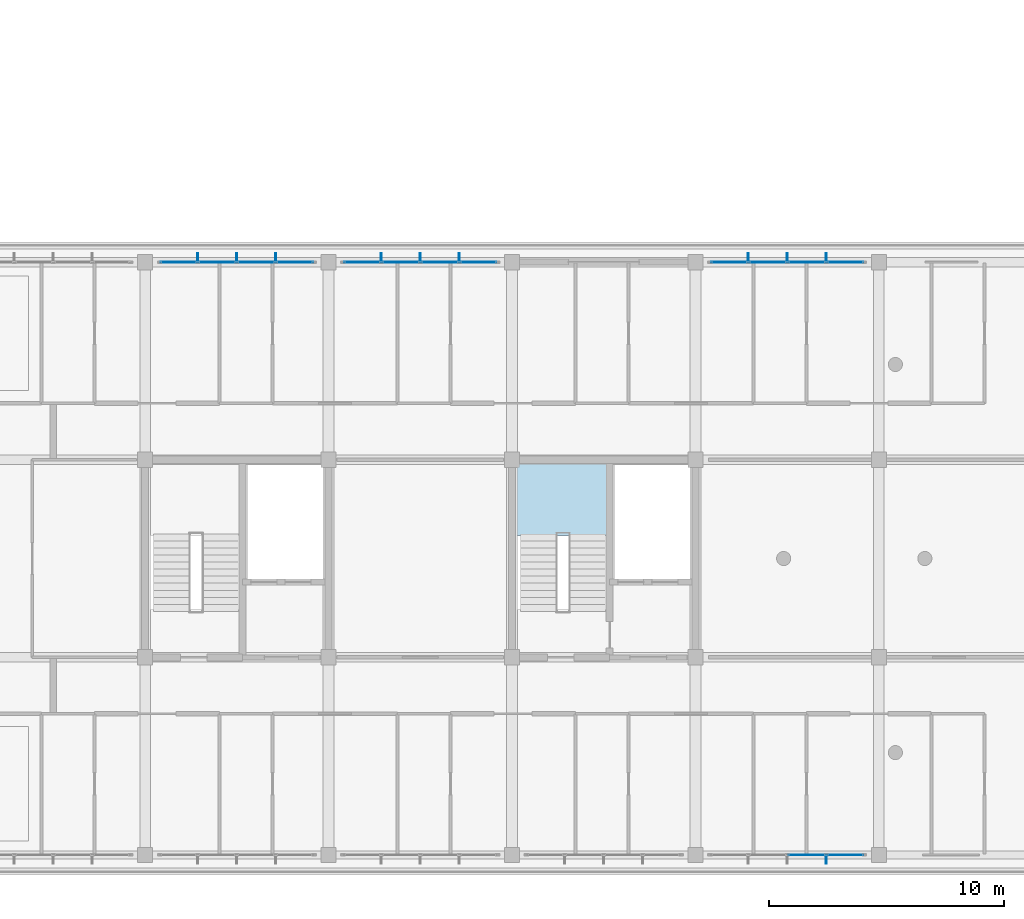
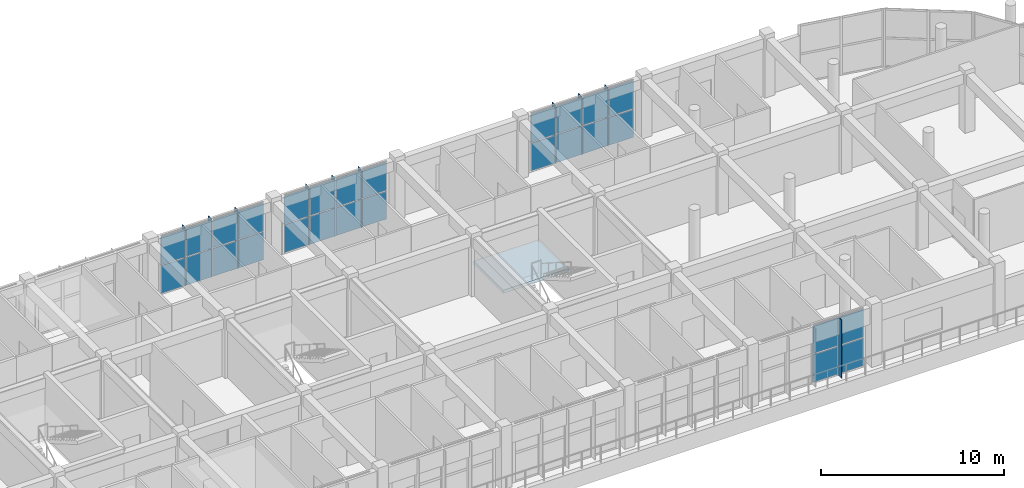
# One storey, part 47 of 63: 38 plates, 1 slab, 5 elements without a shape of their own.
"""IFC4 building model written with IfcOpenShell, lengths in metres."""

import ifcopenshell
import ifcopenshell.guid

model = None  # the IFC model being written
_history = None  # IfcOwnerHistory: only IFC2X3 demands one
_inside = {}  # id of a spatial element -> (the spatial element, [elements in it])
_under = {}  # id of a project, library or spatial element -> (it, [spatial elements below it])
_declared = {}  # id of a project -> (the project, [libraries it declares])
_typed = {}  # id of a type object -> (the type object, [elements of that type])
_made_of = {}  # id of a material, layer set ... -> (it, [elements and type objects made of it])


def new_model(schema):
    """Start an empty IFC model of exactly this schema.

    Asked for "IFC4X3", IfcOpenShell would pick the latest addendum, in which some entities
    have other attributes; the version numbers below select the first issue.
    IFC2X3 requires an IfcOwnerHistory on every rooted entity: one is made here for all.
    """
    global model, _history
    if schema == "IFC4X3":
        model = ifcopenshell.file(schema_version=(4, 3, 0, 0))
    else:
        model = ifcopenshell.file(schema=schema)
    _inside.clear()
    _under.clear()
    _declared.clear()
    _typed.clear()
    _made_of.clear()
    _history = None
    if model.schema == "IFC2X3":
        org = make("IfcOrganization", Name="unknown")
        user = make(
            "IfcPersonAndOrganization",
            ThePerson=make("IfcPerson", FamilyName="unknown"),
            TheOrganization=org,
        )
        app = make(
            "IfcApplication",
            ApplicationDeveloper=org,
            Version="unknown",
            ApplicationFullName="unknown",
            ApplicationIdentifier="unknown",
        )
        _history = make(
            "IfcOwnerHistory",
            OwningUser=user,
            OwningApplication=app,
            ChangeAction="ADDED",
            CreationDate=0,
        )
    return model


def make(cls, **values):
    """One entity of the class cls with the attributes given. An attribute that is None is left unset."""
    return model.create_entity(
        cls, **{name: value for name, value in values.items() if value is not None}
    )


def rooted(cls, **values):
    """An entity with a GlobalId (a new one), such as an element, a storey or a relation."""
    return make(cls, GlobalId=ifcopenshell.guid.new(), OwnerHistory=_history, **values)


def si_unit(unit_type, name, prefix=None):
    """IfcSIUnit, for example si_unit("LENGTHUNIT", "METRE", prefix="MILLI")."""
    return make("IfcSIUnit", UnitType=unit_type, Prefix=prefix, Name=name)


def assignment(units):
    """IfcUnitAssignment: the units of a project."""
    return None if units is None else make("IfcUnitAssignment", Units=units)


def point(xyz):
    """IfcCartesianPoint."""
    return None if xyz is None else make("IfcCartesianPoint", Coordinates=xyz)


def direction(xyz):
    """IfcDirection."""
    return None if xyz is None else make("IfcDirection", DirectionRatios=xyz)


def frame(location, z_axis=None, x_axis=None):
    """IfcAxis2Placement3D, a coordinate frame: its origin and axes. An axis left out is left unset."""
    return make(
        "IfcAxis2Placement3D",
        Location=point(location),
        Axis=direction(z_axis),
        RefDirection=direction(x_axis),
    )


def frame_2d(location, x_axis=None):
    """IfcAxis2Placement2D, a coordinate frame in the plane: its origin and x axis."""
    return make(
        "IfcAxis2Placement2D", Location=point(location), RefDirection=direction(x_axis)
    )


def origin():
    """The frame at (0, 0, 0) with its axes left unset."""
    return frame((0.0, 0.0, 0.0))


def origin_2d():
    """The frame at (0, 0) in the plane with its x axis left unset."""
    return frame_2d((0.0, 0.0))


def place(relative_to, where):
    """IfcLocalPlacement: puts the frame where relative to a parent placement (None: the world)."""
    return make(
        "IfcLocalPlacement", PlacementRelTo=relative_to, RelativePlacement=where
    )


def context(
    kind, dimensions, precision=None, world=None, true_north=None, identifier=None
):
    """IfcGeometricRepresentationContext, for example the 3D "Model" context."""
    return make(
        "IfcGeometricRepresentationContext",
        ContextIdentifier=identifier,
        ContextType=kind,
        CoordinateSpaceDimension=dimensions,
        Precision=precision,
        WorldCoordinateSystem=world,
        TrueNorth=true_north,
    )


def subcontext(parent, identifier, kind, view, scale=None):
    """IfcGeometricRepresentationSubContext, for example "Body" below "Model"."""
    return make(
        "IfcGeometricRepresentationSubContext",
        ContextIdentifier=identifier,
        ContextType=kind,
        ParentContext=parent,
        TargetScale=scale,
        TargetView=view,
    )


def project(units=None, contexts=None):
    """IfcProject with its units and contexts."""
    return rooted(
        "IfcProject",
        Name="project",
        RepresentationContexts=contexts,
        UnitsInContext=assignment(units),
    )


def spatial(cls, under=None, at=None, **own):
    """A site, building, storey or space (cls), placed at a placement, below another one or the project."""
    s = rooted(cls, ObjectPlacement=at, **own)
    if under is not None:
        _under.setdefault(under.id(), (under, []))[1].append(s)
    return s


def polyline(points):
    """IfcPolyline through the points."""
    return make("IfcPolyline", Points=[point(p) for p in points])


def profile(cls, at=None, kind="AREA", **sizes):
    """A parametric profile (cls). Its sizes go by their IFC names, for example OverallWidth=200.0."""
    return make(cls, ProfileType=kind, Position=at, **sizes)


def rectangle(**sizes):
    """IfcRectangleProfileDef."""
    return profile("IfcRectangleProfileDef", **sizes)


def outline(outer, holes=None, kind="AREA"):
    """IfcArbitraryClosedProfileDef: a profile drawn as a closed curve; with holes, ...WithVoids."""
    if holes is None:
        return make("IfcArbitraryClosedProfileDef", ProfileType=kind, OuterCurve=outer)
    return make(
        "IfcArbitraryProfileDefWithVoids",
        ProfileType=kind,
        OuterCurve=outer,
        InnerCurves=holes,
    )


def extrude(swept, where, along, depth):
    """IfcExtrudedAreaSolid: the profile swept, set in the frame where, extruded along a direction by depth."""
    return make(
        "IfcExtrudedAreaSolid",
        SweptArea=swept,
        Position=where,
        ExtrudedDirection=direction(along),
        Depth=depth,
    )


def shape(context_of_items, identifier, shape_type, items):
    """IfcShapeRepresentation: the items that make up one representation, for example the "Body"."""
    return make(
        "IfcShapeRepresentation",
        ContextOfItems=context_of_items,
        RepresentationIdentifier=identifier,
        RepresentationType=shape_type,
        Items=items,
    )


def material(Name=None, Category=None):
    """IfcMaterial."""
    return make("IfcMaterial", Name=Name, Category=Category)


def layer(
    of_material, thickness, ventilated=None, Name=None, Category=None, Priority=None
):
    """IfcMaterialLayer: one layer of a wall or slab, of a material (None: an air gap)."""
    return make(
        "IfcMaterialLayer",
        Material=of_material,
        LayerThickness=thickness,
        IsVentilated=ventilated,
        Name=Name,
        Category=Category,
        Priority=Priority,
    )


def layer_set(layers, Name=None):
    """IfcMaterialLayerSet."""
    return make("IfcMaterialLayerSet", MaterialLayers=layers, LayerSetName=Name)


def made_of(thing, what):
    """Note that an element or type object is made of a material, layer set ...; save() writes the relation."""
    if what is not None:
        _made_of.setdefault(what.id(), (what, []))[1].append(thing)
    return thing


def type_object(cls, material=None, **own):
    """A type object (cls), such as IfcWallType, which elements share."""
    return made_of(rooted(cls, **own), material)


def element(
    cls,
    number,
    at=None,
    inside=None,
    cuts=None,
    type_object=None,
    material=None,
    context=None,
    identifier="Body",
    shape_type=None,
    held_by="IfcProductDefinitionShape",
    body=None,
    shapes=None,
    **own,
):
    """One element of the class cls, such as IfcWall. Its Tag is "e" and its number.

    at: its placement. inside: the storey or other place that contains it. cuts: it is an
    opening in that element (IfcRelVoidsElement). A single representation is given by context,
    identifier, shape_type and body (its items); several are given by shapes. held_by: the class
    of the entity that holds the representations. save() writes the other relations.
    """
    e = rooted(cls, Tag="e%d" % number, ObjectPlacement=at, **own)
    if body is not None:
        shapes = [shape(context, identifier, shape_type, body)]
    if shapes is not None:
        e.Representation = make(held_by, Representations=shapes)
    if inside is not None:
        _inside.setdefault(inside.id(), (inside, []))[1].append(e)
    if cuts is not None:
        rooted(
            "IfcRelVoidsElement", RelatingBuildingElement=cuts, RelatedOpeningElement=e
        )
    if type_object is not None:
        _typed.setdefault(type_object.id(), (type_object, []))[1].append(e)
    return made_of(e, material)


def aggregate(whole, parts):
    """IfcRelAggregates: a whole, such as a stair, and the parts it consists of."""
    return rooted("IfcRelAggregates", RelatingObject=whole, RelatedObjects=parts)


def save(model, path):
    """Write the relations noted so far, then the file.

    IfcRelAggregates (storeys below a building ...), IfcRelContainedInSpatialStructure (elements
    in a storey), IfcRelDefinesByType, IfcRelAssociatesMaterial and IfcRelDeclares: one each for
    every whole, place, type object, material and project.
    """
    for whole, parts in _under.values():
        aggregate(whole, parts)
    for where, things in _inside.values():
        rooted(
            "IfcRelContainedInSpatialStructure",
            RelatedElements=things,
            RelatingStructure=where,
        )
    for kind, things in _typed.values():
        rooted("IfcRelDefinesByType", RelatedObjects=things, RelatingType=kind)
    for what, things in _made_of.values():
        rooted("IfcRelAssociatesMaterial", RelatedObjects=things, RelatingMaterial=what)
    for by, libraries in _declared.values():
        rooted("IfcRelDeclares", RelatingContext=by, RelatedDefinitions=libraries)
    model.write(path)


model = new_model("IFC4")

# Units and contexts
model_context = context("Model", 3, precision=1e-05, world=origin(), true_north=direction((0.0, 1.0)))
body_context = subcontext(model_context, "Body", "Model", "MODEL_VIEW")
ifc_project = project(units=[si_unit("LENGTHUNIT", "METRE"), si_unit("AREAUNIT", "SQUARE_METRE"), si_unit("VOLUMEUNIT", "CUBIC_METRE"), si_unit("PLANEANGLEUNIT", "RADIAN"), si_unit("MASSUNIT", "GRAM", prefix="KILO")], contexts=[model_context])

# Site, building, storey
site_placement = place(None, origin())
site = spatial("IfcSite", under=ifc_project, at=site_placement, CompositionType="ELEMENT")
building_placement = place(site_placement, origin())
building = spatial("IfcBuilding", under=site, at=building_placement, Name="Zizhar Promenade General Hospital", CompositionType="ELEMENT")
storey_placement = place(building_placement, frame((0.0, 0.0, 18.0)))
storey = spatial("IfcBuildingStorey", under=building, at=storey_placement, Name="L04", CompositionType="ELEMENT", Elevation=18.0)

# Curtain wall, plates
ifc_material_1 = material(Name="Anodised aluminium 6063-T6 and low-E glass", Category="aluminium")
ifc_layer_1 = layer(ifc_material_1, 0.159912109375)
ifc_layer_set_1 = layer_set([ifc_layer_1], Name="Anodised aluminium 6063-T6 and low-E glass")
curtain_wall_type = type_object("IfcCurtainWallType", Name="CW-WARD-RIB", PredefinedType="NOTDEFINED", material=ifc_layer_set_1)
curtain_wall_1_placement = place(storey_placement, origin())
curtain_wall_1 = element("IfcCurtainWall", 1, at=curtain_wall_1_placement, inside=storey, type_object=curtain_wall_type, Name="Ward Ribbon Curtain Wall L04-8-7", PredefinedType="NOTDEFINED")
ifc_material_2 = material(Name="Low-E solar-control glass", Category="glass")
ifc_layer_2 = layer(ifc_material_2, 0.031982421875)
ifc_layer_set_2 = layer_set([ifc_layer_2], Name="Low-E solar-control glass")
plate_type_1 = type_object("IfcPlateType", Name="CWP-GLZ-32", PredefinedType="CURTAIN_PANEL", material=ifc_layer_set_2)
plate_1_placement = place(storey_placement, frame((79.429931640625, 25.199951171875, 0.06005859375), z_axis=(0.0, 0.0, 1.0), x_axis=(1.0, 0.0, 0.0)))
plate_1 = element("IfcPlate", 2, at=plate_1_placement, type_object=plate_type_1, Name="CW-13 panel 1.1", PredefinedType="CURTAIN_PANEL", context=body_context, shape_type="SweptSolid", body=[
    extrude(rectangle(XDim=1.5400390625, YDim=0.031982421875, at=origin_2d()), origin(), (0.0, 0.0, 1.0), 1.860107421875),
])
plate_2_placement = place(storey_placement, frame((79.429931640625, 25.199951171875, 1.97998046875), z_axis=(0.0, 0.0, 1.0), x_axis=(1.0, 0.0, 0.0)))
plate_2 = element("IfcPlate", 3, at=plate_2_placement, type_object=plate_type_1, Name="CW-13 panel 1.2", PredefinedType="CURTAIN_PANEL", context=body_context, shape_type="SweptSolid", body=[
    extrude(rectangle(XDim=1.5400390625, YDim=0.031982421875, at=origin_2d()), origin(), (0.0, 0.0, 1.0), 1.860107421875),
])
plate_3_placement = place(storey_placement, frame((81.070068359375, 25.199951171875, 0.06005859375), z_axis=(0.0, 0.0, 1.0), x_axis=(1.0, 0.0, 0.0)))
plate_3 = element("IfcPlate", 4, at=plate_3_placement, type_object=plate_type_1, Name="CW-13 panel 2.1", PredefinedType="CURTAIN_PANEL", context=body_context, shape_type="SweptSolid", body=[
    extrude(rectangle(XDim=1.580078125, YDim=0.031982421875, at=origin_2d()), origin(), (0.0, 0.0, 1.0), 1.860107421875),
])
plate_4_placement = place(storey_placement, frame((81.070068359375, 25.199951171875, 1.97998046875), z_axis=(0.0, 0.0, 1.0), x_axis=(1.0, 0.0, 0.0)))
plate_4 = element("IfcPlate", 5, at=plate_4_placement, type_object=plate_type_1, Name="CW-13 panel 2.2", PredefinedType="CURTAIN_PANEL", context=body_context, shape_type="SweptSolid", body=[
    extrude(rectangle(XDim=1.580078125, YDim=0.031982421875, at=origin_2d()), origin(), (0.0, 0.0, 1.0), 1.860107421875),
])
plate_5_placement = place(storey_placement, frame((82.72998046875, 25.199951171875, 0.06005859375), z_axis=(0.0, 0.0, 1.0), x_axis=(1.0, 0.0, 0.0)))
plate_5 = element("IfcPlate", 6, at=plate_5_placement, type_object=plate_type_1, Name="CW-13 panel 3.1", PredefinedType="CURTAIN_PANEL", context=body_context, shape_type="SweptSolid", body=[
    extrude(rectangle(XDim=1.580078125, YDim=0.031982421875, at=origin_2d()), origin(), (0.0, 0.0, 1.0), 1.860107421875),
])
plate_6_placement = place(storey_placement, frame((82.72998046875, 25.199951171875, 1.97998046875), z_axis=(0.0, 0.0, 1.0), x_axis=(1.0, 0.0, 0.0)))
plate_6 = element("IfcPlate", 7, at=plate_6_placement, type_object=plate_type_1, Name="CW-13 panel 3.2", PredefinedType="CURTAIN_PANEL", context=body_context, shape_type="SweptSolid", body=[
    extrude(rectangle(XDim=1.580078125, YDim=0.031982421875, at=origin_2d()), origin(), (0.0, 0.0, 1.0), 1.860107421875),
])
plate_7_placement = place(storey_placement, frame((84.3701171875, 25.199951171875, 0.06005859375), z_axis=(0.0, 0.0, 1.0), x_axis=(1.0, 0.0, 0.0)))
plate_7 = element("IfcPlate", 8, at=plate_7_placement, type_object=plate_type_1, Name="CW-13 panel 4.1", PredefinedType="CURTAIN_PANEL", context=body_context, shape_type="SweptSolid", body=[
    extrude(rectangle(XDim=1.5400390625, YDim=0.031982421875, at=origin_2d()), origin(), (0.0, 0.0, 1.0), 1.860107421875),
])
plate_8_placement = place(storey_placement, frame((84.3701171875, 25.199951171875, 1.97998046875), z_axis=(0.0, 0.0, 1.0), x_axis=(1.0, 0.0, 0.0)))
plate_8 = element("IfcPlate", 9, at=plate_8_placement, type_object=plate_type_1, Name="CW-13 panel 4.2", PredefinedType="CURTAIN_PANEL", context=body_context, shape_type="SweptSolid", body=[
    extrude(rectangle(XDim=1.5400390625, YDim=0.031982421875, at=origin_2d()), origin(), (0.0, 0.0, 1.0), 1.860107421875),
])
aggregate(curtain_wall_1, [plate_1, plate_2, plate_3, plate_4, plate_5, plate_6, plate_7, plate_8])

curtain_wall_2_placement = place(storey_placement, origin())
curtain_wall_2 = element("IfcCurtainWall", 10, at=curtain_wall_2_placement, inside=storey, type_object=curtain_wall_type, Name="Ward Ribbon Curtain Wall L04-8-8", PredefinedType="NOTDEFINED")
plate_9_placement = place(storey_placement, frame((87.22998046875, 25.199951171875, 0.06005859375), z_axis=(0.0, 0.0, 1.0), x_axis=(1.0, 0.0, 0.0)))
plate_9 = element("IfcPlate", 11, at=plate_9_placement, type_object=plate_type_1, Name="CW-13 panel 1.1", PredefinedType="CURTAIN_PANEL", context=body_context, shape_type="SweptSolid", body=[
    extrude(rectangle(XDim=1.5400390625, YDim=0.031982421875, at=origin_2d()), origin(), (0.0, 0.0, 1.0), 1.860107421875),
])
plate_10_placement = place(storey_placement, frame((87.22998046875, 25.199951171875, 1.97998046875), z_axis=(0.0, 0.0, 1.0), x_axis=(1.0, 0.0, 0.0)))
plate_10 = element("IfcPlate", 12, at=plate_10_placement, type_object=plate_type_1, Name="CW-13 panel 1.2", PredefinedType="CURTAIN_PANEL", context=body_context, shape_type="SweptSolid", body=[
    extrude(rectangle(XDim=1.5400390625, YDim=0.031982421875, at=origin_2d()), origin(), (0.0, 0.0, 1.0), 1.860107421875),
])
plate_11_placement = place(storey_placement, frame((88.8701171875, 25.199951171875, 0.06005859375), z_axis=(0.0, 0.0, 1.0), x_axis=(1.0, 0.0, 0.0)))
plate_11 = element("IfcPlate", 13, at=plate_11_placement, type_object=plate_type_1, Name="CW-13 panel 2.1", PredefinedType="CURTAIN_PANEL", context=body_context, shape_type="SweptSolid", body=[
    extrude(rectangle(XDim=1.580078125, YDim=0.031982421875, at=origin_2d()), origin(), (0.0, 0.0, 1.0), 1.860107421875),
])
plate_12_placement = place(storey_placement, frame((88.8701171875, 25.199951171875, 1.97998046875), z_axis=(0.0, 0.0, 1.0), x_axis=(1.0, 0.0, 0.0)))
plate_12 = element("IfcPlate", 14, at=plate_12_placement, type_object=plate_type_1, Name="CW-13 panel 2.2", PredefinedType="CURTAIN_PANEL", context=body_context, shape_type="SweptSolid", body=[
    extrude(rectangle(XDim=1.580078125, YDim=0.031982421875, at=origin_2d()), origin(), (0.0, 0.0, 1.0), 1.860107421875),
])
plate_13_placement = place(storey_placement, frame((90.530029296875, 25.199951171875, 0.06005859375), z_axis=(0.0, 0.0, 1.0), x_axis=(1.0, 0.0, 0.0)))
plate_13 = element("IfcPlate", 15, at=plate_13_placement, type_object=plate_type_1, Name="CW-13 panel 3.1", PredefinedType="CURTAIN_PANEL", context=body_context, shape_type="SweptSolid", body=[
    extrude(rectangle(XDim=1.580078125, YDim=0.031982421875, at=origin_2d()), origin(), (0.0, 0.0, 1.0), 1.860107421875),
])
plate_14_placement = place(storey_placement, frame((90.530029296875, 25.199951171875, 1.97998046875), z_axis=(0.0, 0.0, 1.0), x_axis=(1.0, 0.0, 0.0)))
plate_14 = element("IfcPlate", 16, at=plate_14_placement, type_object=plate_type_1, Name="CW-13 panel 3.2", PredefinedType="CURTAIN_PANEL", context=body_context, shape_type="SweptSolid", body=[
    extrude(rectangle(XDim=1.580078125, YDim=0.031982421875, at=origin_2d()), origin(), (0.0, 0.0, 1.0), 1.860107421875),
])
plate_15_placement = place(storey_placement, frame((92.169921875, 25.199951171875, 0.06005859375), z_axis=(0.0, 0.0, 1.0), x_axis=(1.0, 0.0, 0.0)))
plate_15 = element("IfcPlate", 17, at=plate_15_placement, type_object=plate_type_1, Name="CW-13 panel 4.1", PredefinedType="CURTAIN_PANEL", context=body_context, shape_type="SweptSolid", body=[
    extrude(rectangle(XDim=1.5400390625, YDim=0.031982421875, at=origin_2d()), origin(), (0.0, 0.0, 1.0), 1.860107421875),
])
plate_16_placement = place(storey_placement, frame((92.169921875, 25.199951171875, 1.97998046875), z_axis=(0.0, 0.0, 1.0), x_axis=(1.0, 0.0, 0.0)))
plate_16 = element("IfcPlate", 18, at=plate_16_placement, type_object=plate_type_1, Name="CW-13 panel 4.2", PredefinedType="CURTAIN_PANEL", context=body_context, shape_type="SweptSolid", body=[
    extrude(rectangle(XDim=1.5400390625, YDim=0.031982421875, at=origin_2d()), origin(), (0.0, 0.0, 1.0), 1.860107421875),
])
aggregate(curtain_wall_2, [plate_9, plate_10, plate_11, plate_12, plate_13, plate_14, plate_15, plate_16])

curtain_wall_3_placement = place(storey_placement, origin())
curtain_wall_3 = element("IfcCurtainWall", 19, at=curtain_wall_3_placement, inside=storey, type_object=curtain_wall_type, Name="Ward Ribbon Curtain Wall L04-8-10", PredefinedType="NOTDEFINED")
plate_17_placement = place(storey_placement, frame((102.830078125, 25.199951171875, 0.06005859375), z_axis=(0.0, 0.0, 1.0), x_axis=(1.0, 0.0, 0.0)))
plate_17 = element("IfcPlate", 20, at=plate_17_placement, type_object=plate_type_1, Name="CW-13 panel 1.1", PredefinedType="CURTAIN_PANEL", context=body_context, shape_type="SweptSolid", body=[
    extrude(rectangle(XDim=1.5400390625, YDim=0.031982421875, at=origin_2d()), origin(), (0.0, 0.0, 1.0), 1.860107421875),
])
plate_18_placement = place(storey_placement, frame((102.830078125, 25.199951171875, 1.97998046875), z_axis=(0.0, 0.0, 1.0), x_axis=(1.0, 0.0, 0.0)))
plate_18 = element("IfcPlate", 21, at=plate_18_placement, type_object=plate_type_1, Name="CW-13 panel 1.2", PredefinedType="CURTAIN_PANEL", context=body_context, shape_type="SweptSolid", body=[
    extrude(rectangle(XDim=1.5400390625, YDim=0.031982421875, at=origin_2d()), origin(), (0.0, 0.0, 1.0), 1.860107421875),
])
plate_19_placement = place(storey_placement, frame((104.469970703125, 25.199951171875, 0.06005859375), z_axis=(0.0, 0.0, 1.0), x_axis=(1.0, 0.0, 0.0)))
plate_19 = element("IfcPlate", 22, at=plate_19_placement, type_object=plate_type_1, Name="CW-13 panel 2.1", PredefinedType="CURTAIN_PANEL", context=body_context, shape_type="SweptSolid", body=[
    extrude(rectangle(XDim=1.580078125, YDim=0.031982421875, at=origin_2d()), origin(), (0.0, 0.0, 1.0), 1.860107421875),
])
plate_20_placement = place(storey_placement, frame((104.469970703125, 25.199951171875, 1.97998046875), z_axis=(0.0, 0.0, 1.0), x_axis=(1.0, 0.0, 0.0)))
plate_20 = element("IfcPlate", 23, at=plate_20_placement, type_object=plate_type_1, Name="CW-13 panel 2.2", PredefinedType="CURTAIN_PANEL", context=body_context, shape_type="SweptSolid", body=[
    extrude(rectangle(XDim=1.580078125, YDim=0.031982421875, at=origin_2d()), origin(), (0.0, 0.0, 1.0), 1.860107421875),
])
plate_21_placement = place(storey_placement, frame((106.1298828125, 25.199951171875, 0.06005859375), z_axis=(0.0, 0.0, 1.0), x_axis=(1.0, 0.0, 0.0)))
plate_21 = element("IfcPlate", 24, at=plate_21_placement, type_object=plate_type_1, Name="CW-13 panel 3.1", PredefinedType="CURTAIN_PANEL", context=body_context, shape_type="SweptSolid", body=[
    extrude(rectangle(XDim=1.580078125, YDim=0.031982421875, at=origin_2d()), origin(), (0.0, 0.0, 1.0), 1.860107421875),
])
plate_22_placement = place(storey_placement, frame((106.1298828125, 25.199951171875, 1.97998046875), z_axis=(0.0, 0.0, 1.0), x_axis=(1.0, 0.0, 0.0)))
plate_22 = element("IfcPlate", 25, at=plate_22_placement, type_object=plate_type_1, Name="CW-13 panel 3.2", PredefinedType="CURTAIN_PANEL", context=body_context, shape_type="SweptSolid", body=[
    extrude(rectangle(XDim=1.580078125, YDim=0.031982421875, at=origin_2d()), origin(), (0.0, 0.0, 1.0), 1.860107421875),
])
plate_23_placement = place(storey_placement, frame((107.77001953125, 25.199951171875, 0.06005859375), z_axis=(0.0, 0.0, 1.0), x_axis=(1.0, 0.0, 0.0)))
plate_23 = element("IfcPlate", 26, at=plate_23_placement, type_object=plate_type_1, Name="CW-13 panel 4.1", PredefinedType="CURTAIN_PANEL", context=body_context, shape_type="SweptSolid", body=[
    extrude(rectangle(XDim=1.5400390625, YDim=0.031982421875, at=origin_2d()), origin(), (0.0, 0.0, 1.0), 1.860107421875),
])
plate_24_placement = place(storey_placement, frame((107.77001953125, 25.199951171875, 1.97998046875), z_axis=(0.0, 0.0, 1.0), x_axis=(1.0, 0.0, 0.0)))
plate_24 = element("IfcPlate", 27, at=plate_24_placement, type_object=plate_type_1, Name="CW-13 panel 4.2", PredefinedType="CURTAIN_PANEL", context=body_context, shape_type="SweptSolid", body=[
    extrude(rectangle(XDim=1.5400390625, YDim=0.031982421875, at=origin_2d()), origin(), (0.0, 0.0, 1.0), 1.860107421875),
])
aggregate(curtain_wall_3, [plate_17, plate_18, plate_19, plate_20, plate_21, plate_22, plate_23, plate_24])

curtain_wall_4_placement = place(storey_placement, origin())
curtain_wall_4 = element("IfcCurtainWall", 28, at=curtain_wall_4_placement, inside=storey, type_object=curtain_wall_type, Name="Ward Ribbon Curtain Wall L04-17-1", PredefinedType="NOTDEFINED")
plate_25_placement = place(storey_placement, frame((107.77001953125, 0.0, 0.06005859375), z_axis=(0.0, 0.0, 1.0), x_axis=(-1.0, 0.0, 0.0)))
plate_25 = element("IfcPlate", 29, at=plate_25_placement, type_object=plate_type_1, Name="CW-13 panel 1.1", PredefinedType="CURTAIN_PANEL", context=body_context, shape_type="SweptSolid", body=[
    extrude(rectangle(XDim=1.5400390625, YDim=0.031982421875, at=origin_2d()), origin(), (0.0, 0.0, 1.0), 1.860107421875),
])
plate_26_placement = place(storey_placement, frame((107.77001953125, 0.0, 1.97998046875), z_axis=(0.0, 0.0, 1.0), x_axis=(-1.0, 0.0, 0.0)))
plate_26 = element("IfcPlate", 30, at=plate_26_placement, type_object=plate_type_1, Name="CW-13 panel 1.2", PredefinedType="CURTAIN_PANEL", context=body_context, shape_type="SweptSolid", body=[
    extrude(rectangle(XDim=1.5400390625, YDim=0.031982421875, at=origin_2d()), origin(), (0.0, 0.0, 1.0), 1.860107421875),
])
plate_27_placement = place(storey_placement, frame((106.1298828125, 0.0, 0.06005859375), z_axis=(0.0, 0.0, 1.0), x_axis=(-1.0, 0.0, 0.0)))
plate_27 = element("IfcPlate", 31, at=plate_27_placement, type_object=plate_type_1, Name="CW-13 panel 2.1", PredefinedType="CURTAIN_PANEL", context=body_context, shape_type="SweptSolid", body=[
    extrude(rectangle(XDim=1.580078125, YDim=0.031982421875, at=origin_2d()), origin(), (0.0, 0.0, 1.0), 1.860107421875),
])
plate_28_placement = place(storey_placement, frame((106.1298828125, 0.0, 1.97998046875), z_axis=(0.0, 0.0, 1.0), x_axis=(-1.0, 0.0, 0.0)))
plate_28 = element("IfcPlate", 32, at=plate_28_placement, type_object=plate_type_1, Name="CW-13 panel 2.2", PredefinedType="CURTAIN_PANEL", context=body_context, shape_type="SweptSolid", body=[
    extrude(rectangle(XDim=1.580078125, YDim=0.031982421875, at=origin_2d()), origin(), (0.0, 0.0, 1.0), 1.860107421875),
])
aggregate(curtain_wall_4, [plate_25, plate_26, plate_27, plate_28])

# Plates
ifc_material_3 = material(Name="Anodised aluminium 6063-T6", Category="aluminium")
ifc_layer_3 = layer(ifc_material_3, 0.035888671875)
ifc_layer_set_3 = layer_set([ifc_layer_3], Name="Anodised aluminium 6063-T6")
plate_type_2 = type_object("IfcPlateType", Name="FIN-ALU-380", PredefinedType="USERDEFINED", material=ifc_layer_set_3)
plate_29_placement = place(storey_placement, origin())
element("IfcPlate", 33, at=plate_29_placement, inside=storey, type_object=plate_type_2, Name="Ward Ribbon Curtain Wall L04-8-7 Solar Fin 1", ObjectType="SOLAR_SHADE", PredefinedType="USERDEFINED", context=body_context, shape_type="SweptSolid", body=[
    extrude(outline(polyline([(80.221923828125, 25.199951171875), (80.258056640625, 25.199951171875), (80.258056640625, 25.580078125), (80.221923828125, 25.580078125), (80.221923828125, 25.199951171875)])), origin(), (0.0, 0.0, 1.0), 3.89990234375),
])
plate_30_placement = place(storey_placement, origin())
element("IfcPlate", 34, at=plate_30_placement, inside=storey, type_object=plate_type_2, Name="Ward Ribbon Curtain Wall L04-8-7 Solar Fin 2", ObjectType="SOLAR_SHADE", PredefinedType="USERDEFINED", context=body_context, shape_type="SweptSolid", body=[
    extrude(outline(polyline([(81.882080078125, 25.199951171875), (81.91796875, 25.199951171875), (81.91796875, 25.580078125), (81.882080078125, 25.580078125), (81.882080078125, 25.199951171875)])), origin(), (0.0, 0.0, 1.0), 3.89990234375),
])
plate_31_placement = place(storey_placement, origin())
element("IfcPlate", 35, at=plate_31_placement, inside=storey, type_object=plate_type_2, Name="Ward Ribbon Curtain Wall L04-8-7 Solar Fin 3", ObjectType="SOLAR_SHADE", PredefinedType="USERDEFINED", context=body_context, shape_type="SweptSolid", body=[
    extrude(outline(polyline([(83.5419921875, 25.199951171875), (83.577880859375, 25.199951171875), (83.577880859375, 25.580078125), (83.5419921875, 25.580078125), (83.5419921875, 25.199951171875)])), origin(), (0.0, 0.0, 1.0), 3.89990234375),
])
plate_32_placement = place(storey_placement, origin())
element("IfcPlate", 36, at=plate_32_placement, inside=storey, type_object=plate_type_2, Name="Ward Ribbon Curtain Wall L04-8-8 Solar Fin 1", ObjectType="SOLAR_SHADE", PredefinedType="USERDEFINED", context=body_context, shape_type="SweptSolid", body=[
    extrude(outline(polyline([(88.02197265625, 25.199951171875), (88.05810546875, 25.199951171875), (88.05810546875, 25.580078125), (88.02197265625, 25.580078125), (88.02197265625, 25.199951171875)])), origin(), (0.0, 0.0, 1.0), 3.89990234375),
])
plate_33_placement = place(storey_placement, origin())
element("IfcPlate", 37, at=plate_33_placement, inside=storey, type_object=plate_type_2, Name="Ward Ribbon Curtain Wall L04-8-8 Solar Fin 2", ObjectType="SOLAR_SHADE", PredefinedType="USERDEFINED", context=body_context, shape_type="SweptSolid", body=[
    extrude(outline(polyline([(89.681884765625, 25.199951171875), (89.718017578125, 25.199951171875), (89.718017578125, 25.580078125), (89.681884765625, 25.580078125), (89.681884765625, 25.199951171875)])), origin(), (0.0, 0.0, 1.0), 3.89990234375),
])
plate_34_placement = place(storey_placement, origin())
element("IfcPlate", 38, at=plate_34_placement, inside=storey, type_object=plate_type_2, Name="Ward Ribbon Curtain Wall L04-8-8 Solar Fin 3", ObjectType="SOLAR_SHADE", PredefinedType="USERDEFINED", context=body_context, shape_type="SweptSolid", body=[
    extrude(outline(polyline([(91.342041015625, 25.199951171875), (91.3779296875, 25.199951171875), (91.3779296875, 25.580078125), (91.342041015625, 25.580078125), (91.342041015625, 25.199951171875)])), origin(), (0.0, 0.0, 1.0), 3.89990234375),
])
plate_35_placement = place(storey_placement, origin())
element("IfcPlate", 39, at=plate_35_placement, inside=storey, type_object=plate_type_2, Name="Ward Ribbon Curtain Wall L04-8-10 Solar Fin 1", ObjectType="SOLAR_SHADE", PredefinedType="USERDEFINED", context=body_context, shape_type="SweptSolid", body=[
    extrude(outline(polyline([(103.6220703125, 25.199951171875), (103.657958984375, 25.199951171875), (103.657958984375, 25.580078125), (103.6220703125, 25.580078125), (103.6220703125, 25.199951171875)])), origin(), (0.0, 0.0, 1.0), 3.89990234375),
])
plate_36_placement = place(storey_placement, origin())
element("IfcPlate", 40, at=plate_36_placement, inside=storey, type_object=plate_type_2, Name="Ward Ribbon Curtain Wall L04-8-10 Solar Fin 2", ObjectType="SOLAR_SHADE", PredefinedType="USERDEFINED", context=body_context, shape_type="SweptSolid", body=[
    extrude(outline(polyline([(105.281982421875, 25.199951171875), (105.318115234375, 25.199951171875), (105.318115234375, 25.580078125), (105.281982421875, 25.580078125), (105.281982421875, 25.199951171875)])), origin(), (0.0, 0.0, 1.0), 3.89990234375),
])
plate_37_placement = place(storey_placement, origin())
element("IfcPlate", 41, at=plate_37_placement, inside=storey, type_object=plate_type_2, Name="Ward Ribbon Curtain Wall L04-8-10 Solar Fin 3", ObjectType="SOLAR_SHADE", PredefinedType="USERDEFINED", context=body_context, shape_type="SweptSolid", body=[
    extrude(outline(polyline([(106.94189453125, 25.199951171875), (106.97802734375, 25.199951171875), (106.97802734375, 25.580078125), (106.94189453125, 25.580078125), (106.94189453125, 25.199951171875)])), origin(), (0.0, 0.0, 1.0), 3.89990234375),
])
plate_38_placement = place(storey_placement, origin())
element("IfcPlate", 42, at=plate_38_placement, inside=storey, type_object=plate_type_2, Name="Ward Ribbon Curtain Wall L04-17-1 Solar Fin 1", ObjectType="SOLAR_SHADE", PredefinedType="USERDEFINED", context=body_context, shape_type="SweptSolid", body=[
    extrude(outline(polyline([(106.97802734375, 0.0), (106.94189453125, 0.0), (106.94189453125, -0.3798828125), (106.97802734375, -0.3798828125), (106.97802734375, 0.0)])), origin(), (0.0, 0.0, 1.0), 3.89990234375),
])

# Stair, slab
ifc_material_4 = material(Name="Concrete C35/45", Category="concrete")
stair_type = type_object("IfcStairType", Name="STR-DOG-420", PredefinedType="HALF_TURN_STAIR", material=ifc_material_4)
stair_placement = place(storey_placement, origin())
stair = element("IfcStair", 43, at=stair_placement, inside=storey, type_object=stair_type, Name="Exit Stair ST-05 (L04 to L05)", PredefinedType="HALF_TURN_STAIR")
ifc_material_5 = material(Name="Concrete C35/45", Category="concrete")
ifc_layer_4 = layer(ifc_material_5, 0.2099609375)
ifc_layer_set_4 = layer_set([ifc_layer_4], Name="Concrete C35/45")
slab_type = type_object("IfcSlabType", Name="SLB-LAND-420", PredefinedType="LANDING", material=ifc_layer_set_4)
slab_placement = place(storey_placement, frame((0.0, 0.0, 1.889892578125)))
slab = element("IfcSlab", 44, at=slab_placement, type_object=slab_type, Name="ST-05C landing 1", PredefinedType="LANDING", context=body_context, shape_type="SweptSolid", body=[
    extrude(outline(polyline([(93.60009765625, 13.570068359375), (97.75, 13.570068359375), (97.75, 16.800048828125), (93.60009765625, 16.800048828125), (93.60009765625, 13.570068359375)])), origin(), (0.0, 0.0, 1.0), 0.210205078125),
])
aggregate(stair, [slab])

save(model, "model.ifc")
